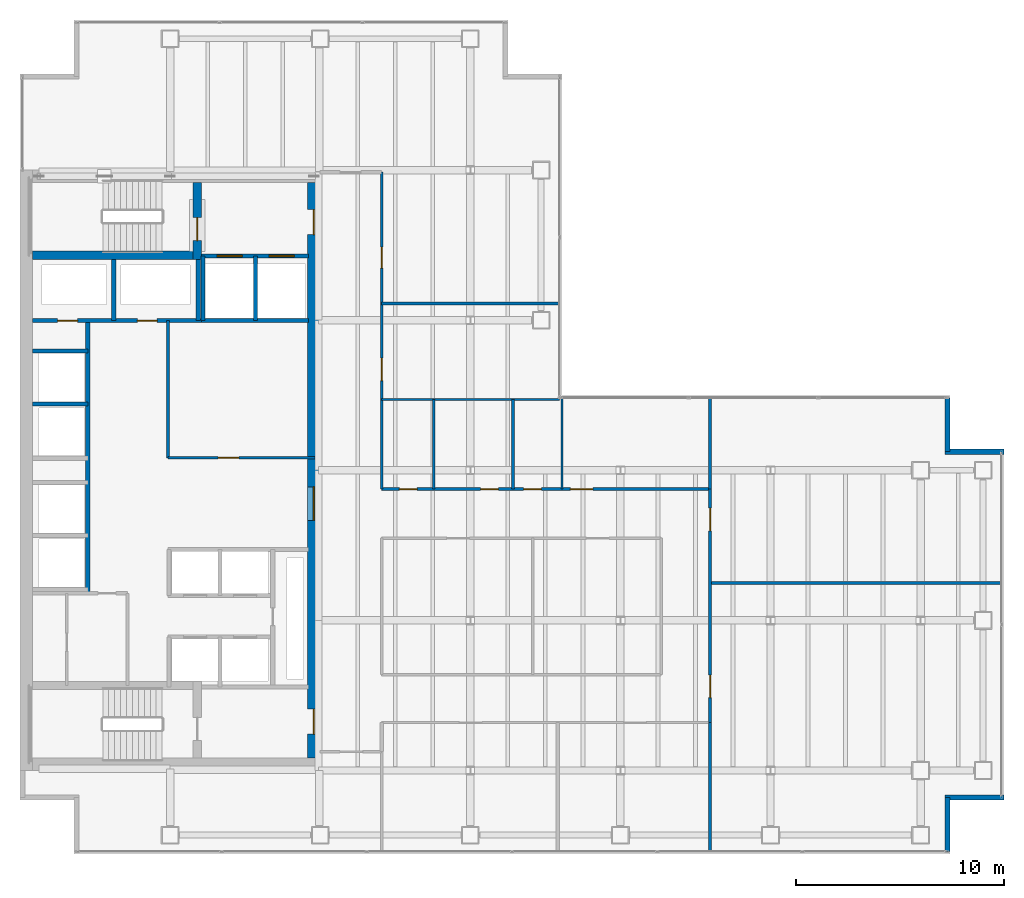
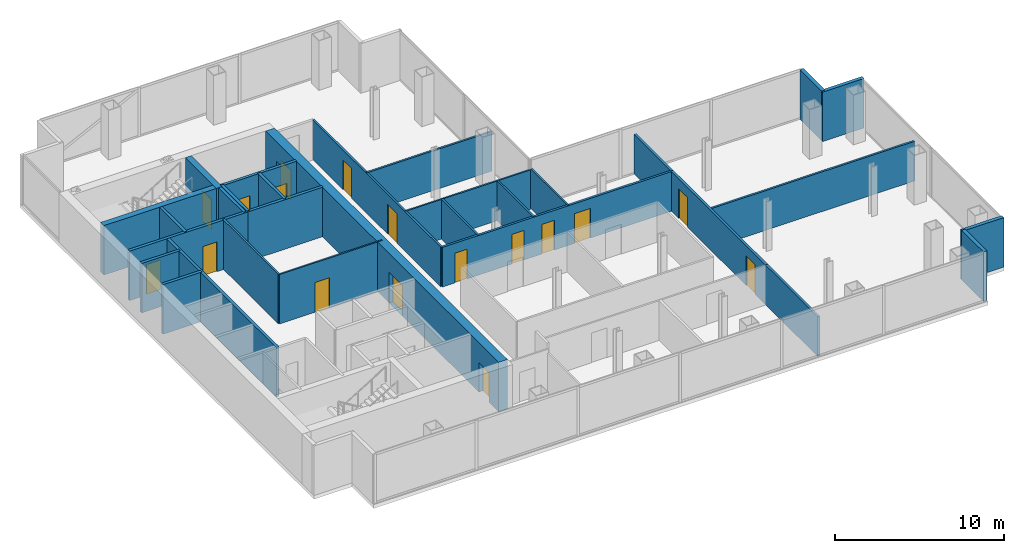
# One storey, part 21 of 23: 30 walls, 17 doors, 17 openings.
"""IFC4 building model written with IfcOpenShell, lengths in metres."""

from ifc_helpers import new_model, si_unit, direction, frame, frame_2d, origin, place, context, subcontext, project, spatial, rectangle, extrude, material, layer, layer_set, type_object, element, fill, save


model = new_model("IFC4")

# Units and contexts
model_context = context("Model", 3, precision=1e-05, world=origin(), true_north=direction((0.0, 1.0)))
body_context = subcontext(model_context, "Body", "Model", "MODEL_VIEW")
ifc_project = project(units=[si_unit("LENGTHUNIT", "METRE"), si_unit("AREAUNIT", "SQUARE_METRE"), si_unit("VOLUMEUNIT", "CUBIC_METRE"), si_unit("PLANEANGLEUNIT", "RADIAN"), si_unit("MASSUNIT", "GRAM", prefix="KILO")], contexts=[model_context])

# Site, building, storey
site_placement = place(None, origin())
site = spatial("IfcSite", under=ifc_project, at=site_placement, CompositionType="ELEMENT")
building_placement = place(site_placement, origin())
building = spatial("IfcBuilding", under=site, at=building_placement, Name="Cobrela Telecom Tower", CompositionType="ELEMENT")
storey_placement = place(building_placement, frame((0.0, 0.0, 148.39990234375)))
storey = spatial("IfcBuildingStorey", under=building, at=storey_placement, Name="L37", CompositionType="ELEMENT", Elevation=148.39990234375)

# Wall, openings, doors
ifc_material_1 = material(Name="Concrete C50/60", Category="concrete")
ifc_layer_1 = layer(ifc_material_1, 0.60009765625)
ifc_layer_set_1 = layer_set([ifc_layer_1], Name="Concrete C50/60")
wall_type_1 = type_object("IfcWallType", Name="WALL-CORE-C50-600", PredefinedType="SHEAR", material=ifc_layer_set_1)
wall_1_placement = place(storey_placement, frame((14.10009765625, 35.39990234375, 0.0), z_axis=(0.0, 0.0, 1.0), x_axis=(0.0, -1.0, 0.0)))
wall_1 = element("IfcWall", 1, at=wall_1_placement, inside=storey, type_object=wall_type_1, Name="L37 East Core Shear Wall", PredefinedType="SHEAR", context=body_context, shape_type="SweptSolid", body=[
    extrude(rectangle(XDim=27.599853515625, YDim=0.60009765625, at=frame_2d((13.7998046875, 0.0))), origin(), (0.0, 0.0, 1.0), 3.580078125),
])
opening_1_placement = place(wall_1_placement, frame((1.300048828125, 0.0, 0.0)))
opening_1 = element("IfcOpeningElement", 2, at=opening_1_placement, cuts=wall_1, Name="Opening DR-19", PredefinedType="OPENING", context=body_context, shape_type="SweptSolid", body=[
    extrude(rectangle(XDim=1.199951171875, YDim=2.14990234375, at=frame_2d((0.60009765625, 1.074951171875))), frame((0.0, 0.31201171875, 0.0), z_axis=(0.0, -1.0, 0.0), x_axis=(1.0, 0.0, 0.0)), (0.0, 0.0, 1.0), 0.6240234375),
])
opening_2_placement = place(wall_1_placement, frame((25.25, 0.0, 0.0)))
opening_2 = element("IfcOpeningElement", 3, at=opening_2_placement, cuts=wall_1, Name="Opening DR-19", PredefinedType="OPENING", context=body_context, shape_type="SweptSolid", body=[
    extrude(rectangle(XDim=1.199951171875, YDim=2.14990234375, at=frame_2d((0.60009765625, 1.074951171875))), frame((0.0, 0.31201171875, 0.0), z_axis=(0.0, -1.0, 0.0), x_axis=(1.0, 0.0, 0.0)), (0.0, 0.0, 1.0), 0.6240234375),
])
opening_3_placement = place(wall_1_placement, frame((14.60009765625, 0.0, 0.0)))
opening_3 = element("IfcOpeningElement", 4, at=opening_3_placement, cuts=wall_1, Name="Opening DR-51", PredefinedType="OPENING", context=body_context, shape_type="SweptSolid", body=[
    extrude(rectangle(XDim=1.60009765625, YDim=2.199951171875, at=frame_2d((0.800048828125, 1.10009765625))), frame((0.0, 0.31201171875, 0.0), z_axis=(0.0, -1.0, 0.0), x_axis=(1.0, 0.0, 0.0)), (0.0, 0.0, 1.0), 0.6240234375),
])
ifc_material_2 = material(Name="Steel ASTM A36", Category="steel")
door_type_1 = type_object("IfcDoorType", Name="DOOR-FD60-1200", OperationType="SINGLE_SWING_LEFT", PredefinedType="DOOR", material=ifc_material_2)
door_1_placement = place(opening_1_placement, origin())
door_1 = element("IfcDoor", 5, at=door_1_placement, inside=storey, type_object=door_type_1, Name="L37 Door DR-19", OperationType="SINGLE_SWING_LEFT", OverallHeight=2.14990234375, OverallWidth=1.199951171875, PredefinedType="DOOR", context=body_context, shape_type="SweptSolid", body=[
    extrude(rectangle(XDim=1.199951171875, YDim=2.14990234375, at=frame_2d((0.60009765625, 1.074951171875))), frame((0.0, 0.02490234375, 0.0), z_axis=(0.0, -1.0, 0.0), x_axis=(1.0, 0.0, 0.0)), (0.0, 0.0, 1.0), 0.050048828125),
])
fill(opening_1, door_1)
door_2_placement = place(opening_2_placement, origin())
door_2 = element("IfcDoor", 6, at=door_2_placement, inside=storey, type_object=door_type_1, Name="L37 Door DR-19", OperationType="SINGLE_SWING_RIGHT", OverallHeight=2.14990234375, OverallWidth=1.199951171875, PredefinedType="DOOR", context=body_context, shape_type="SweptSolid", body=[
    extrude(rectangle(XDim=1.199951171875, YDim=2.14990234375, at=frame_2d((0.60009765625, 1.074951171875))), frame((0.0, 0.02490234375, 0.0), z_axis=(0.0, -1.0, 0.0), x_axis=(1.0, 0.0, 0.0)), (0.0, 0.0, 1.0), 0.050048828125),
])
fill(opening_2, door_2)
door_type_2 = type_object("IfcDoorType", Name="DOOR-FD60-1600", OperationType="SINGLE_SWING_LEFT", PredefinedType="DOOR", material=ifc_material_2)
door_3_placement = place(opening_3_placement, origin())
door_3 = element("IfcDoor", 7, at=door_3_placement, inside=storey, type_object=door_type_2, Name="L37 Door DR-51", OperationType="DOUBLE_DOOR_SINGLE_SWING", OverallHeight=2.199951171875, OverallWidth=1.60009765625, PredefinedType="DOOR", context=body_context, shape_type="SweptSolid", body=[
    extrude(rectangle(XDim=1.60009765625, YDim=2.199951171875, at=frame_2d((0.800048828125, 1.10009765625))), frame((0.0, 0.02490234375, 0.0), z_axis=(0.0, -1.0, 0.0), x_axis=(1.0, 0.0, 0.0)), (0.0, 0.0, 1.0), 0.050048828125),
])
fill(opening_3, door_3)

# Walls
ifc_material_3 = material(Name="Concrete C40/50", Category="concrete")
ifc_layer_2 = layer(ifc_material_3, 0.239990234375)
ifc_layer_set_2 = layer_set([ifc_layer_2], Name="Concrete C40/50")
wall_type_2 = type_object("IfcWallType", Name="WALL-EXT-300", PredefinedType="STANDARD", material=ifc_layer_set_2)
wall_2_placement = place(storey_placement, frame((44.489990234375, 25.080078125, 0.0), z_axis=(0.0, 0.0, 1.0), x_axis=(0.0, -1.0, 0.0)))
element("IfcWall", 8, at=wall_2_placement, inside=storey, type_object=wall_type_2, Name="L37 Insulated Facade Wall 12", PredefinedType="STANDARD", context=body_context, shape_type="SweptSolid", body=[
    extrude(rectangle(XDim=2.590087890625, YDim=0.239990234375, at=frame_2d((1.294921875, 0.0))), origin(), (0.0, 0.0, 1.0), 3.580078125),
])
for number, where, z_axis, x_axis, name in (
    (9, (44.3701171875, 22.489990234375, 0.0), (0.0, 0.0, 1.0), (1.0, 0.0, 0.0), "L37 Insulated Facade Wall 13"),
    (10, (47.199951171875, 5.909912109375, 0.0), (0.0, 0.0, 1.0), (-1.0, 0.0, 0.0), "L37 Insulated Facade Wall 15"),
):
    element("IfcWall", number, at=place(storey_placement, frame(where, z_axis=z_axis, x_axis=x_axis)), inside=storey, type_object=wall_type_2, Name=name, PredefinedType="STANDARD", context=body_context, shape_type="SweptSolid", body=[
        extrude(rectangle(XDim=2.829833984375, YDim=0.239990234375, at=frame_2d((1.4150390625, 0.0))), origin(), (0.0, 0.0, 1.0), 3.580078125),
    ])
wall_3_placement = place(storey_placement, frame((44.489990234375, 5.909912109375, 0.0), z_axis=(0.0, 0.0, 1.0), x_axis=(0.0, -1.0, 0.0)))
element("IfcWall", 11, at=wall_3_placement, inside=storey, type_object=wall_type_2, Name="L37 Insulated Facade Wall 16", PredefinedType="STANDARD", context=body_context, shape_type="SweptSolid", body=[
    extrude(rectangle(XDim=2.58984375, YDim=0.239990234375, at=frame_2d((1.294921875, 0.0))), origin(), (0.0, 0.0, 1.0), 3.580078125),
])

# Wall, opening, door
ifc_material_4 = material(Name="Fire-Rated Gypsum Plasterboard")
ifc_layer_3 = layer(ifc_material_4, 0.110107421875)
ifc_layer_set_3 = layer_set([ifc_layer_3], Name="Fire-Rated Gypsum Plasterboard")
wall_type_3 = type_object("IfcWallType", Name="WALL-PART-110", PredefinedType="PARTITIONING", material=ifc_layer_set_3)
wall_4_placement = place(storey_placement, frame((7.10009765625, 22.199951171875, 0.0), z_axis=(0.0, 0.0, 1.0), x_axis=(1.0, 0.0, 0.0)))
wall_4 = element("IfcWall", 12, at=wall_4_placement, inside=storey, type_object=wall_type_3, Name="L37 Interior Partition CW-RECL-S", PredefinedType="PARTITIONING", context=body_context, shape_type="SweptSolid", body=[
    extrude(rectangle(XDim=7.0498046875, YDim=0.110107421875, at=frame_2d((3.52490234375, 0.0))), origin(), (0.0, 0.0, 1.0), 3.580078125),
])
opening_4_placement = place(wall_4_placement, frame((2.39990234375, 0.0, 0.0)))
opening_4 = element("IfcOpeningElement", 13, at=opening_4_placement, cuts=wall_4, Name="Opening DR-31", PredefinedType="OPENING", context=body_context, shape_type="SweptSolid", body=[
    extrude(rectangle(XDim=1.0, YDim=2.14990234375, at=frame_2d((0.5, 1.074951171875))), frame((0.0, 0.06689453125, 0.0), z_axis=(0.0, -1.0, 0.0), x_axis=(1.0, 0.0, 0.0)), (0.0, 0.0, 1.0), 0.134033203125),
])
ifc_material_5 = material(Name="Solid Engineered Oak Timber", Category="wood")
door_type_3 = type_object("IfcDoorType", Name="DOOR-INT-1000", OperationType="SINGLE_SWING_LEFT", PredefinedType="DOOR", material=ifc_material_5)
door_4_placement = place(opening_4_placement, origin())
door_4 = element("IfcDoor", 14, at=door_4_placement, inside=storey, type_object=door_type_3, Name="L37 Door DR-31", OperationType="SINGLE_SWING_LEFT", OverallHeight=2.14990234375, OverallWidth=1.0, PredefinedType="DOOR", context=body_context, shape_type="SweptSolid", body=[
    extrude(rectangle(XDim=1.0, YDim=2.14990234375, at=frame_2d((0.5, 1.074951171875))), frame((0.0, 0.02490234375, 0.0), z_axis=(0.0, -1.0, 0.0), x_axis=(1.0, 0.0, 0.0)), (0.0, 0.0, 1.0), 0.050048828125),
])
fill(opening_4, door_4)

# Walls
wall_5_placement = place(storey_placement, frame((17.35009765625, 25.0, 0.0), z_axis=(0.0, 0.0, 1.0), x_axis=(1.0, 0.0, 0.0)))
element("IfcWall", 15, at=wall_5_placement, inside=storey, type_object=wall_type_3, Name="L37 Interior Partition W-WC-N", PredefinedType="PARTITIONING", context=body_context, shape_type="SweptSolid", body=[
    extrude(rectangle(XDim=8.52978515625, YDim=0.110107421875, at=frame_2d((4.264892578125, 0.0))), origin(), (0.0, 0.0, 1.0), 2.869140625),
])
wall_6_placement = place(storey_placement, frame((26.0, 20.699951171875, 0.0), z_axis=(0.0, 0.0, 1.0), x_axis=(0.0, 1.0, 0.0)))
element("IfcWall", 16, at=wall_6_placement, inside=storey, type_object=wall_type_3, Name="L37 Interior Partition W-UEN-W", PredefinedType="PARTITIONING", context=body_context, shape_type="SweptSolid", body=[
    extrude(rectangle(XDim=4.380126953125, YDim=0.110107421875, at=frame_2d((2.18994140625, 0.0))), origin(), (0.0, 0.0, 1.0), 2.869140625),
])
ifc_layer_4 = layer(ifc_material_4, 0.125)
ifc_layer_set_4 = layer_set([ifc_layer_4], Name="Fire-Rated Gypsum Plasterboard")
wall_type_4 = type_object("IfcWallType", Name="WALL-PART-125", PredefinedType="PARTITIONING", material=ifc_layer_set_4)
for number, where, z_axis, x_axis, name in (
    (17, (19.85009765625, 20.699951171875, 0.0), (0.0, 0.0, 1.0), (0.0, 1.0, 0.0), "L37 Interior Partition W-WC-V1"),
    (18, (23.64990234375, 20.699951171875, 0.0), (0.0, 0.0, 1.0), (0.0, 1.0, 0.0), "L37 Interior Partition W-WC-V2"),
):
    element("IfcWall", number, at=place(storey_placement, frame(where, z_axis=z_axis, x_axis=x_axis)), inside=storey, type_object=wall_type_4, Name=name, PredefinedType="PARTITIONING", context=body_context, shape_type="SweptSolid", body=[
        extrude(rectangle(XDim=4.300048828125, YDim=0.125, at=frame_2d((2.14990234375, 0.0))), origin(), (0.0, 0.0, 1.0), 2.869140625),
    ])
ifc_layer_5 = layer(ifc_material_4, 0.135009765625)
ifc_layer_set_5 = layer_set([ifc_layer_5], Name="Fire-Rated Gypsum Plasterboard")
wall_type_5 = type_object("IfcWallType", Name="WALL-PART-135", PredefinedType="PARTITIONING", material=ifc_layer_set_5)
wall_7_placement = place(storey_placement, frame((7.10009765625, 22.199951171875, 0.0), z_axis=(0.0, 0.0, 1.0), x_axis=(0.0, 1.0, 0.0)))
element("IfcWall", 19, at=wall_7_placement, inside=storey, type_object=wall_type_5, Name="L37 Interior Partition CW-RECL-W", PredefinedType="PARTITIONING", context=body_context, shape_type="SweptSolid", body=[
    extrude(rectangle(XDim=6.580078125, YDim=0.135009765625, at=frame_2d((3.2900390625, 0.0))), origin(), (0.0, 0.0, 1.0), 3.580078125),
])

# Wall, openings, doors
wall_8_placement = place(storey_placement, frame((17.35009765625, 20.699951171875, 0.0), z_axis=(0.0, 0.0, 1.0), x_axis=(0.0, 1.0, 0.0)))
wall_8 = element("IfcWall", 20, at=wall_8_placement, inside=storey, type_object=wall_type_5, Name="L37 Interior Partition W-UW-E2", PredefinedType="PARTITIONING", context=body_context, shape_type="SweptSolid", body=[
    extrude(rectangle(XDim=15.199951171875, YDim=0.135009765625, at=frame_2d((7.60009765625, 0.0))), origin(), (0.0, 0.0, 1.0), 2.869140625),
])
opening_5_placement = place(wall_8_placement, frame((5.199951171875, 0.0, 0.0)))
opening_5 = element("IfcOpeningElement", 21, at=opening_5_placement, cuts=wall_8, Name="Opening DR-63", PredefinedType="OPENING", context=body_context, shape_type="SweptSolid", body=[
    extrude(rectangle(XDim=1.080078125, YDim=2.14990234375, at=frame_2d((0.5400390625, 1.074951171875))), frame((0.0, 0.07958984375, 0.0), z_axis=(0.0, -1.0, 0.0), x_axis=(1.0, 0.0, 0.0)), (0.0, 0.0, 1.0), 0.158935546875),
])
opening_6_placement = place(wall_8_placement, frame((10.60009765625, 0.0, 0.0)))
opening_6 = element("IfcOpeningElement", 22, at=opening_6_placement, cuts=wall_8, Name="Opening DR-31", PredefinedType="OPENING", context=body_context, shape_type="SweptSolid", body=[
    extrude(rectangle(XDim=1.0, YDim=2.14990234375, at=frame_2d((0.5, 1.074951171875))), frame((0.0, 0.07958984375, 0.0), z_axis=(0.0, -1.0, 0.0), x_axis=(1.0, 0.0, 0.0)), (0.0, 0.0, 1.0), 0.158935546875),
])
door_5_placement = place(opening_6_placement, origin())
door_5 = element("IfcDoor", 23, at=door_5_placement, inside=storey, type_object=door_type_3, Name="L37 Door DR-31", OperationType="SINGLE_SWING_LEFT", OverallHeight=2.14990234375, OverallWidth=1.0, PredefinedType="DOOR", context=body_context, shape_type="SweptSolid", body=[
    extrude(rectangle(XDim=1.0, YDim=2.14990234375, at=frame_2d((0.5, 1.074951171875))), frame((0.0, 0.02490234375, 0.0), z_axis=(0.0, -1.0, 0.0), x_axis=(1.0, 0.0, 0.0)), (0.0, 0.0, 1.0), 0.050048828125),
])
fill(opening_6, door_5)
door_type_4 = type_object("IfcDoorType", Name="DOOR-INT-1080", OperationType="SINGLE_SWING_LEFT", PredefinedType="DOOR", material=ifc_material_5)
door_6_placement = place(opening_5_placement, origin())
door_6 = element("IfcDoor", 24, at=door_6_placement, inside=storey, type_object=door_type_4, Name="L37 Door DR-63", OperationType="SINGLE_SWING_RIGHT", OverallHeight=2.14990234375, OverallWidth=1.080078125, PredefinedType="DOOR", context=body_context, shape_type="SweptSolid", body=[
    extrude(rectangle(XDim=1.080078125, YDim=2.14990234375, at=frame_2d((0.5400390625, 1.074951171875))), frame((0.0, 0.02490234375, 0.0), z_axis=(0.0, -1.0, 0.0), x_axis=(1.0, 0.0, 0.0)), (0.0, 0.0, 1.0), 0.050048828125),
])
fill(opening_5, door_6)

# Walls
wall_9_placement = place(storey_placement, frame((17.35009765625, 29.60009765625, 0.0), z_axis=(0.0, 0.0, 1.0), x_axis=(1.0, 0.0, 0.0)))
element("IfcWall", 25, at=wall_9_placement, inside=storey, type_object=wall_type_5, Name="L37 Interior Partition W-NPAN-N", PredefinedType="PARTITIONING", context=body_context, shape_type="SweptSolid", body=[
    extrude(rectangle(XDim=8.52978515625, YDim=0.135009765625, at=frame_2d((4.264892578125, 0.0))), origin(), (0.0, 0.0, 1.0), 2.869140625),
])
wall_10_placement = place(storey_placement, frame((33.10009765625, 16.199951171875, 0.0), z_axis=(0.0, 0.0, 1.0), x_axis=(1.0, 0.0, 0.0)))
element("IfcWall", 26, at=wall_10_placement, inside=storey, type_object=wall_type_5, Name="L37 Interior Partition W-UFE-H", PredefinedType="PARTITIONING", context=body_context, shape_type="SweptSolid", body=[
    extrude(rectangle(XDim=13.97998046875, YDim=0.135009765625, at=frame_2d((6.989990234375, 0.0))), origin(), (0.0, 0.0, 1.0), 2.869140625),
])

# Wall, openings, doors
ifc_layer_6 = layer(ifc_material_4, 0.14990234375)
ifc_layer_set_6 = layer_set([ifc_layer_6], Name="Fire-Rated Gypsum Plasterboard")
wall_type_6 = type_object("IfcWallType", Name="WALL-PART-150", PredefinedType="PARTITIONING", material=ifc_layer_set_6)
wall_11_placement = place(storey_placement, frame((17.35009765625, 20.699951171875, 0.0), z_axis=(0.0, 0.0, 1.0), x_axis=(1.0, 0.0, 0.0)))
wall_11 = element("IfcWall", 27, at=wall_11_placement, inside=storey, type_object=wall_type_6, Name="L37 Interior Partition W-UN-N", PredefinedType="PARTITIONING", context=body_context, shape_type="SweptSolid", body=[
    extrude(rectangle(XDim=15.75, YDim=0.14990234375, at=frame_2d((7.875, 0.0))), origin(), (0.0, 0.0, 1.0), 2.869140625),
])
opening_7_placement = place(wall_11_placement, frame((0.85009765625, 0.0, 0.0)))
opening_7 = element("IfcOpeningElement", 28, at=opening_7_placement, cuts=wall_11, Name="Opening DR-11", PredefinedType="OPENING", context=body_context, shape_type="SweptSolid", body=[
    extrude(rectangle(XDim=0.85009765625, YDim=2.14990234375, at=frame_2d((0.425048828125, 1.074951171875))), frame((0.0, 0.0869140625, 0.0), z_axis=(0.0, -1.0, 0.0), x_axis=(1.0, 0.0, 0.0)), (0.0, 0.0, 1.0), 0.173828125),
])
opening_8_placement = place(wall_11_placement, frame((4.75, 0.0, 0.0)))
opening_8 = element("IfcOpeningElement", 29, at=opening_8_placement, cuts=wall_11, Name="Opening DR-11", PredefinedType="OPENING", context=body_context, shape_type="SweptSolid", body=[
    extrude(rectangle(XDim=0.85009765625, YDim=2.14990234375, at=frame_2d((0.425048828125, 1.074951171875))), frame((0.0, 0.0869140625, 0.0), z_axis=(0.0, -1.0, 0.0), x_axis=(1.0, 0.0, 0.0)), (0.0, 0.0, 1.0), 0.173828125),
])
opening_9_placement = place(wall_11_placement, frame((6.81005859375, 0.0, 0.0)))
opening_9 = element("IfcOpeningElement", 30, at=opening_9_placement, cuts=wall_11, Name="Opening DR-11", PredefinedType="OPENING", context=body_context, shape_type="SweptSolid", body=[
    extrude(rectangle(XDim=0.85009765625, YDim=2.14990234375, at=frame_2d((0.425048828125, 1.074951171875))), frame((0.0, 0.0869140625, 0.0), z_axis=(0.0, -1.0, 0.0), x_axis=(1.0, 0.0, 0.0)), (0.0, 0.0, 1.0), 0.173828125),
])
opening_10_placement = place(wall_11_placement, frame((9.050048828125, 0.0, 0.0)))
opening_10 = element("IfcOpeningElement", 31, at=opening_10_placement, cuts=wall_11, Name="Opening DR-63", PredefinedType="OPENING", context=body_context, shape_type="SweptSolid", body=[
    extrude(rectangle(XDim=1.080078125, YDim=2.14990234375, at=frame_2d((0.5400390625, 1.074951171875))), frame((0.0, 0.0869140625, 0.0), z_axis=(0.0, -1.0, 0.0), x_axis=(1.0, 0.0, 0.0)), (0.0, 0.0, 1.0), 0.173828125),
])
door_7_placement = place(opening_10_placement, origin())
door_7 = element("IfcDoor", 32, at=door_7_placement, inside=storey, type_object=door_type_4, Name="L37 Door DR-63", OperationType="SINGLE_SWING_RIGHT", OverallHeight=2.14990234375, OverallWidth=1.080078125, PredefinedType="DOOR", context=body_context, shape_type="SweptSolid", body=[
    extrude(rectangle(XDim=1.080078125, YDim=2.14990234375, at=frame_2d((0.5400390625, 1.074951171875))), frame((0.0, 0.02490234375, 0.0), z_axis=(0.0, -1.0, 0.0), x_axis=(1.0, 0.0, 0.0)), (0.0, 0.0, 1.0), 0.050048828125),
])
fill(opening_10, door_7)
door_type_5 = type_object("IfcDoorType", Name="DOOR-INT-850", OperationType="SINGLE_SWING_LEFT", PredefinedType="DOOR", material=ifc_material_5)
door_8_placement = place(opening_7_placement, origin())
door_8 = element("IfcDoor", 33, at=door_8_placement, inside=storey, type_object=door_type_5, Name="L37 Door DR-11", OperationType="SINGLE_SWING_LEFT", OverallHeight=2.14990234375, OverallWidth=0.85009765625, PredefinedType="DOOR", context=body_context, shape_type="SweptSolid", body=[
    extrude(rectangle(XDim=0.85009765625, YDim=2.14990234375, at=frame_2d((0.425048828125, 1.074951171875))), frame((0.0, 0.02490234375, 0.0), z_axis=(0.0, -1.0, 0.0), x_axis=(1.0, 0.0, 0.0)), (0.0, 0.0, 1.0), 0.050048828125),
])
fill(opening_7, door_8)
door_9_placement = place(opening_8_placement, origin())
door_9 = element("IfcDoor", 34, at=door_9_placement, inside=storey, type_object=door_type_5, Name="L37 Door DR-11", OperationType="SINGLE_SWING_RIGHT", OverallHeight=2.14990234375, OverallWidth=0.85009765625, PredefinedType="DOOR", context=body_context, shape_type="SweptSolid", body=[
    extrude(rectangle(XDim=0.85009765625, YDim=2.14990234375, at=frame_2d((0.425048828125, 1.074951171875))), frame((0.0, 0.02490234375, 0.0), z_axis=(0.0, -1.0, 0.0), x_axis=(1.0, 0.0, 0.0)), (0.0, 0.0, 1.0), 0.050048828125),
])
fill(opening_8, door_9)
door_10_placement = place(opening_9_placement, origin())
door_10 = element("IfcDoor", 35, at=door_10_placement, inside=storey, type_object=door_type_5, Name="L37 Door DR-11", OperationType="SINGLE_SWING_LEFT", OverallHeight=2.14990234375, OverallWidth=0.85009765625, PredefinedType="DOOR", context=body_context, shape_type="SweptSolid", body=[
    extrude(rectangle(XDim=0.85009765625, YDim=2.14990234375, at=frame_2d((0.425048828125, 1.074951171875))), frame((0.0, 0.02490234375, 0.0), z_axis=(0.0, -1.0, 0.0), x_axis=(1.0, 0.0, 0.0)), (0.0, 0.0, 1.0), 0.050048828125),
])
fill(opening_9, door_10)

# Wall
wall_12_placement = place(storey_placement, frame((33.10009765625, 20.699951171875, 0.0), z_axis=(0.0, 0.0, 1.0), x_axis=(0.0, 1.0, 0.0)))
element("IfcWall", 36, at=wall_12_placement, inside=storey, type_object=wall_type_6, Name="L37 Interior Partition W-UFE-N", PredefinedType="PARTITIONING", context=body_context, shape_type="SweptSolid", body=[
    extrude(rectangle(XDim=4.380126953125, YDim=0.14990234375, at=frame_2d((2.18994140625, 0.0))), origin(), (0.0, 0.0, 1.0), 2.869140625),
])

# Wall, openings, doors
ifc_layer_7 = layer(ifc_material_4, 0.159912109375)
ifc_layer_set_7 = layer_set([ifc_layer_7], Name="Fire-Rated Gypsum Plasterboard")
wall_type_7 = type_object("IfcWallType", Name="WALL-PART-160", PredefinedType="PARTITIONING", material=ifc_layer_set_7)
wall_13_placement = place(storey_placement, frame((33.10009765625, 9.5, 0.0), z_axis=(0.0, 0.0, 1.0), x_axis=(0.0, 1.0, 0.0)))
wall_13 = element("IfcWall", 37, at=wall_13_placement, inside=storey, type_object=wall_type_7, Name="L37 Interior Partition W-UE-E", PredefinedType="PARTITIONING", context=body_context, shape_type="SweptSolid", body=[
    extrude(rectangle(XDim=11.199951171875, YDim=0.159912109375, at=frame_2d((5.60009765625, 0.0))), origin(), (0.0, 0.0, 1.0), 2.869140625),
])
opening_11_placement = place(wall_13_placement, frame((1.199951171875, 0.0, 0.0)))
opening_11 = element("IfcOpeningElement", 38, at=opening_11_placement, cuts=wall_13, Name="Opening DR-63", PredefinedType="OPENING", context=body_context, shape_type="SweptSolid", body=[
    extrude(rectangle(XDim=1.080078125, YDim=2.14990234375, at=frame_2d((0.5400390625, 1.074951171875))), frame((0.0, 0.091796875, 0.0), z_axis=(0.0, -1.0, 0.0), x_axis=(1.0, 0.0, 0.0)), (0.0, 0.0, 1.0), 0.183837890625),
])
opening_12_placement = place(wall_13_placement, frame((9.199951171875, 0.0, 0.0)))
opening_12 = element("IfcOpeningElement", 39, at=opening_12_placement, cuts=wall_13, Name="Opening DR-63", PredefinedType="OPENING", context=body_context, shape_type="SweptSolid", body=[
    extrude(rectangle(XDim=1.080078125, YDim=2.14990234375, at=frame_2d((0.5400390625, 1.074951171875))), frame((0.0, 0.091796875, 0.0), z_axis=(0.0, -1.0, 0.0), x_axis=(1.0, 0.0, 0.0)), (0.0, 0.0, 1.0), 0.183837890625),
])
door_11_placement = place(opening_11_placement, origin())
door_11 = element("IfcDoor", 40, at=door_11_placement, inside=storey, type_object=door_type_4, Name="L37 Door DR-63", OperationType="SINGLE_SWING_LEFT", OverallHeight=2.14990234375, OverallWidth=1.080078125, PredefinedType="DOOR", context=body_context, shape_type="SweptSolid", body=[
    extrude(rectangle(XDim=1.080078125, YDim=2.14990234375, at=frame_2d((0.5400390625, 1.074951171875))), frame((0.0, 0.02490234375, 0.0), z_axis=(0.0, -1.0, 0.0), x_axis=(1.0, 0.0, 0.0)), (0.0, 0.0, 1.0), 0.050048828125),
])
fill(opening_11, door_11)
door_12_placement = place(opening_12_placement, origin())
door_12 = element("IfcDoor", 41, at=door_12_placement, inside=storey, type_object=door_type_4, Name="L37 Door DR-63", OperationType="SINGLE_SWING_RIGHT", OverallHeight=2.14990234375, OverallWidth=1.080078125, PredefinedType="DOOR", context=body_context, shape_type="SweptSolid", body=[
    extrude(rectangle(XDim=1.080078125, YDim=2.14990234375, at=frame_2d((0.5400390625, 1.074951171875))), frame((0.0, 0.02490234375, 0.0), z_axis=(0.0, -1.0, 0.0), x_axis=(1.0, 0.0, 0.0)), (0.0, 0.0, 1.0), 0.050048828125),
])
fill(opening_12, door_12)

# Wall
wall_14_placement = place(storey_placement, frame((33.10009765625, 3.320068359375, 0.0), z_axis=(0.0, 0.0, 1.0), x_axis=(0.0, 1.0, 0.0)))
element("IfcWall", 42, at=wall_14_placement, inside=storey, type_object=wall_type_7, Name="L37 Interior Partition W-UFE-S", PredefinedType="PARTITIONING", context=body_context, shape_type="SweptSolid", body=[
    extrude(rectangle(XDim=6.179931640625, YDim=0.159912109375, at=frame_2d((3.08984375, 0.0))), origin(), (0.0, 0.0, 1.0), 2.869140625),
])

# Wall, openings, doors
ifc_layer_8 = layer(ifc_material_4, 0.199951171875)
ifc_layer_set_8 = layer_set([ifc_layer_8], Name="Fire-Rated Gypsum Plasterboard")
wall_type_8 = type_object("IfcWallType", Name="WALL-SHAFT-200", PredefinedType="PARTITIONING", material=ifc_layer_set_8)
wall_15_placement = place(storey_placement, frame((8.699951171875, 31.8798828125, 0.0), z_axis=(0.0, 0.0, 1.0), x_axis=(1.0, 0.0, 0.0)))
wall_15 = element("IfcWall", 43, at=wall_15_placement, inside=storey, type_object=wall_type_8, Name="L37 Shaft Enclosure CW-FFL-S", PredefinedType="PARTITIONING", context=body_context, shape_type="SweptSolid", body=[
    extrude(rectangle(XDim=5.150146484375, YDim=0.199951171875, at=frame_2d((2.5751953125, 0.0))), origin(), (0.0, 0.0, 1.0), 3.580078125),
])
opening_13_placement = place(wall_15_placement, frame((0.75, 0.0, 0.0)))
opening_13 = element("IfcOpeningElement", 44, at=opening_13_placement, cuts=wall_15, Name="Opening LD-2", PredefinedType="OPENING", context=body_context, shape_type="SweptSolid", body=[
    extrude(rectangle(XDim=1.199951171875, YDim=2.199951171875, at=frame_2d((0.60009765625, 1.10009765625))), frame((0.0, 0.11181640625, 0.0), z_axis=(0.0, -1.0, 0.0), x_axis=(1.0, 0.0, 0.0)), (0.0, 0.0, 1.0), 0.223876953125),
])
opening_14_placement = place(wall_15_placement, frame((3.25, 0.0, 0.0)))
opening_14 = element("IfcOpeningElement", 45, at=opening_14_placement, cuts=wall_15, Name="Opening LD-2", PredefinedType="OPENING", context=body_context, shape_type="SweptSolid", body=[
    extrude(rectangle(XDim=1.199951171875, YDim=2.199951171875, at=frame_2d((0.60009765625, 1.10009765625))), frame((0.0, 0.11181640625, 0.0), z_axis=(0.0, -1.0, 0.0), x_axis=(1.0, 0.0, 0.0)), (0.0, 0.0, 1.0), 0.223876953125),
])
door_type_6 = type_object("IfcDoorType", Name="DOOR-LD-FFL", OperationType="SINGLE_SWING_LEFT", PredefinedType="DOOR", material=ifc_material_2)
door_13_placement = place(opening_13_placement, origin())
door_13 = element("IfcDoor", 46, at=door_13_placement, inside=storey, type_object=door_type_6, Name="L37 Lift Landing Door LD-2", OperationType="DOUBLE_DOOR_SLIDING", OverallHeight=2.199951171875, OverallWidth=1.199951171875, PredefinedType="DOOR", context=body_context, shape_type="SweptSolid", body=[
    extrude(rectangle(XDim=1.199951171875, YDim=2.199951171875, at=frame_2d((0.60009765625, 1.10009765625))), frame((0.0, 0.02490234375, 0.0), z_axis=(0.0, -1.0, 0.0), x_axis=(1.0, 0.0, 0.0)), (0.0, 0.0, 1.0), 0.050048828125),
])
fill(opening_13, door_13)
door_14_placement = place(opening_14_placement, origin())
door_14 = element("IfcDoor", 47, at=door_14_placement, inside=storey, type_object=door_type_6, Name="L37 Lift Landing Door LD-2", OperationType="DOUBLE_DOOR_SLIDING", OverallHeight=2.199951171875, OverallWidth=1.199951171875, PredefinedType="DOOR", context=body_context, shape_type="SweptSolid", body=[
    extrude(rectangle(XDim=1.199951171875, YDim=2.199951171875, at=frame_2d((0.60009765625, 1.10009765625))), frame((0.0, 0.02490234375, 0.0), z_axis=(0.0, -1.0, 0.0), x_axis=(1.0, 0.0, 0.0)), (0.0, 0.0, 1.0), 0.050048828125),
])
fill(opening_14, door_14)

# Walls
wall_16_placement = place(storey_placement, frame((8.699951171875, 28.780029296875, 0.0), z_axis=(0.0, 0.0, 1.0), x_axis=(1.0, 0.0, 0.0)))
element("IfcWall", 48, at=wall_16_placement, inside=storey, type_object=wall_type_8, Name="L37 Shaft Enclosure CW-FFL-S2", PredefinedType="PARTITIONING", context=body_context, shape_type="SweptSolid", body=[
    extrude(rectangle(XDim=5.150146484375, YDim=0.199951171875, at=frame_2d((2.5751953125, 0.0))), origin(), (0.0, 0.0, 1.0), 3.580078125),
])
for number, where, z_axis, x_axis, name in (
    (49, (8.780029296875, 28.780029296875, 0.0), (0.0, 0.0, 1.0), (0.0, 1.0, 0.0), "L37 Shaft Enclosure CW-FFL-W"),
    (50, (11.300048828125, 28.780029296875, 0.0), (0.0, 0.0, 1.0), (0.0, 1.0, 0.0), "L37 Shaft Enclosure CW-FFL-M"),
):
    element("IfcWall", number, at=place(storey_placement, frame(where, z_axis=z_axis, x_axis=x_axis)), inside=storey, type_object=wall_type_8, Name=name, PredefinedType="PARTITIONING", context=body_context, shape_type="SweptSolid", body=[
        extrude(rectangle(XDim=3.099853515625, YDim=0.199951171875, at=frame_2d((1.5498046875, 0.0))), origin(), (0.0, 0.0, 1.0), 3.580078125),
    ])

# Wall, openings, doors
wall_17_placement = place(storey_placement, frame((0.60009765625, 28.780029296875, 0.0), z_axis=(0.0, 0.0, 1.0), x_axis=(1.0, 0.0, 0.0)))
wall_17 = element("IfcWall", 51, at=wall_17_placement, inside=storey, type_object=wall_type_8, Name="L37 Shaft Enclosure CW-RIS-S", PredefinedType="PARTITIONING", context=body_context, shape_type="SweptSolid", body=[
    extrude(rectangle(XDim=8.179931640625, YDim=0.199951171875, at=frame_2d((4.08984375, 0.0))), origin(), (0.0, 0.0, 1.0), 3.580078125),
])
opening_15_placement = place(wall_17_placement, frame((1.2099609375, 0.0, 0.0)))
opening_15 = element("IfcOpeningElement", 52, at=opening_15_placement, cuts=wall_17, Name="Opening DR-65", PredefinedType="OPENING", context=body_context, shape_type="SweptSolid", body=[
    extrude(rectangle(XDim=0.949951171875, YDim=2.14990234375, at=frame_2d((0.47509765625, 1.074951171875))), frame((0.0, 0.11181640625, 0.0), z_axis=(0.0, -1.0, 0.0), x_axis=(1.0, 0.0, 0.0)), (0.0, 0.0, 1.0), 0.223876953125),
])
opening_16_placement = place(wall_17_placement, frame((5.030029296875, 0.0, 0.0)))
opening_16 = element("IfcOpeningElement", 53, at=opening_16_placement, cuts=wall_17, Name="Opening DR-65", PredefinedType="OPENING", context=body_context, shape_type="SweptSolid", body=[
    extrude(rectangle(XDim=0.949951171875, YDim=2.14990234375, at=frame_2d((0.47509765625, 1.074951171875))), frame((0.0, 0.11181640625, 0.0), z_axis=(0.0, -1.0, 0.0), x_axis=(1.0, 0.0, 0.0)), (0.0, 0.0, 1.0), 0.223876953125),
])
door_type_7 = type_object("IfcDoorType", Name="DOOR-FD60-950", OperationType="SINGLE_SWING_LEFT", PredefinedType="DOOR", material=ifc_material_2)
door_15_placement = place(opening_15_placement, origin())
door_15 = element("IfcDoor", 54, at=door_15_placement, inside=storey, type_object=door_type_7, Name="L37 Door DR-65", OperationType="SINGLE_SWING_LEFT", OverallHeight=2.14990234375, OverallWidth=0.949951171875, PredefinedType="DOOR", context=body_context, shape_type="SweptSolid", body=[
    extrude(rectangle(XDim=0.949951171875, YDim=2.14990234375, at=frame_2d((0.47509765625, 1.074951171875))), frame((0.0, 0.02490234375, 0.0), z_axis=(0.0, -1.0, 0.0), x_axis=(1.0, 0.0, 0.0)), (0.0, 0.0, 1.0), 0.050048828125),
])
fill(opening_15, door_15)
door_16_placement = place(opening_16_placement, origin())
door_16 = element("IfcDoor", 55, at=door_16_placement, inside=storey, type_object=door_type_7, Name="L37 Door DR-65", OperationType="SINGLE_SWING_RIGHT", OverallHeight=2.14990234375, OverallWidth=0.949951171875, PredefinedType="DOOR", context=body_context, shape_type="SweptSolid", body=[
    extrude(rectangle(XDim=0.949951171875, YDim=2.14990234375, at=frame_2d((0.47509765625, 1.074951171875))), frame((0.0, 0.02490234375, 0.0), z_axis=(0.0, -1.0, 0.0), x_axis=(1.0, 0.0, 0.0)), (0.0, 0.0, 1.0), 0.050048828125),
])
fill(opening_16, door_16)

# Walls
for number, where, z_axis, x_axis, name in (
    (56, (4.5, 28.780029296875, 0.0), (0.0, 0.0, 1.0), (0.0, 1.0, 0.0), "L37 Shaft Enclosure CW-RIS-M"),
    (57, (8.550048828125, 28.780029296875, 0.0), (0.0, 0.0, 1.0), (0.0, 1.0, 0.0), "L37 Shaft Enclosure CW-RIS-E"),
):
    element("IfcWall", number, at=place(storey_placement, frame(where, z_axis=z_axis, x_axis=x_axis)), inside=storey, type_object=wall_type_8, Name=name, PredefinedType="PARTITIONING", context=body_context, shape_type="SweptSolid", body=[
        extrude(rectangle(XDim=2.93994140625, YDim=0.199951171875, at=frame_2d((1.469970703125, 0.0))), origin(), (0.0, 0.0, 1.0), 3.580078125),
    ])
wall_18_placement = place(storey_placement, frame((3.25, 15.699951171875, 0.0), z_axis=(0.0, 0.0, 1.0), x_axis=(0.0, 1.0, 0.0)))
element("IfcWall", 58, at=wall_18_placement, inside=storey, type_object=wall_type_8, Name="L37 Shaft Enclosure CW-PLH-E", PredefinedType="PARTITIONING", context=body_context, shape_type="SweptSolid", body=[
    extrude(rectangle(XDim=13.080078125, YDim=0.199951171875, at=frame_2d((6.5400390625, 0.0))), origin(), (0.0, 0.0, 1.0), 3.580078125),
])
for number, where, z_axis, x_axis, name in (
    (59, (0.60009765625, 24.780029296875, 0.0), (0.0, 0.0, 1.0), (1.0, 0.0, 0.0), "L37 Shaft Enclosure CW-PLH-D12"),
    (60, (0.60009765625, 27.320068359375, 0.0), (0.0, 0.0, 1.0), (1.0, 0.0, 0.0), "L37 Shaft Enclosure CW-PLH-TOP"),
):
    element("IfcWall", number, at=place(storey_placement, frame(where, z_axis=z_axis, x_axis=x_axis)), inside=storey, type_object=wall_type_8, Name=name, PredefinedType="PARTITIONING", context=body_context, shape_type="SweptSolid", body=[
        extrude(rectangle(XDim=2.64990234375, YDim=0.199951171875, at=frame_2d((1.324951171875, 0.0))), origin(), (0.0, 0.0, 1.0), 3.580078125),
    ])
ifc_layer_9 = layer(ifc_material_3, 0.39990234375)
ifc_layer_set_9 = layer_set([ifc_layer_9], Name="Concrete C40/50")
wall_type_9 = type_object("IfcWallType", Name="WALL-SHAFT-C40-400", PredefinedType="SHEAR", material=ifc_layer_set_9)
wall_19_placement = place(storey_placement, frame((0.60009765625, 31.919921875, 0.0), z_axis=(0.0, 0.0, 1.0), x_axis=(1.0, 0.0, 0.0)))
element("IfcWall", 61, at=wall_19_placement, inside=storey, type_object=wall_type_9, Name="L37 North Stair Shear Wall", PredefinedType="SHEAR", context=body_context, shape_type="SweptSolid", body=[
    extrude(rectangle(XDim=7.699951171875, YDim=0.39990234375, at=frame_2d((3.85009765625, 0.0))), origin(), (0.0, 0.0, 1.0), 3.580078125),
])

# Wall, opening, door
wall_20_placement = place(storey_placement, frame((8.5, 31.719970703125, 0.0), z_axis=(0.0, 0.0, 1.0), x_axis=(0.0, 1.0, 0.0)))
wall_20 = element("IfcWall", 62, at=wall_20_placement, inside=storey, type_object=wall_type_9, Name="L37 North Stair Lobby Shear Wall", PredefinedType="SHEAR", context=body_context, shape_type="SweptSolid", body=[
    extrude(rectangle(XDim=3.679931640625, YDim=0.39990234375, at=frame_2d((1.83984375, 0.0))), origin(), (0.0, 0.0, 1.0), 3.580078125),
])
opening_17_placement = place(wall_20_placement, frame((0.89990234375, 0.0, 0.0)))
opening_17 = element("IfcOpeningElement", 63, at=opening_17_placement, cuts=wall_20, Name="Opening DR-59", PredefinedType="OPENING", context=body_context, shape_type="SweptSolid", body=[
    extrude(rectangle(XDim=1.10009765625, YDim=2.14990234375, at=frame_2d((0.550048828125, 1.074951171875))), frame((0.0, 0.2119140625, 0.0), z_axis=(0.0, -1.0, 0.0), x_axis=(1.0, 0.0, 0.0)), (0.0, 0.0, 1.0), 0.423828125),
])
door_type_8 = type_object("IfcDoorType", Name="DOOR-FD60-1100", OperationType="SINGLE_SWING_LEFT", PredefinedType="DOOR", material=ifc_material_2)
door_17_placement = place(opening_17_placement, origin())
door_17 = element("IfcDoor", 64, at=door_17_placement, inside=storey, type_object=door_type_8, Name="L37 Door DR-59", OperationType="SINGLE_SWING_RIGHT", OverallHeight=2.14990234375, OverallWidth=1.10009765625, PredefinedType="DOOR", context=body_context, shape_type="SweptSolid", body=[
    extrude(rectangle(XDim=1.10009765625, YDim=2.14990234375, at=frame_2d((0.550048828125, 1.074951171875))), frame((0.0, 0.02490234375, 0.0), z_axis=(0.0, -1.0, 0.0), x_axis=(1.0, 0.0, 0.0)), (0.0, 0.0, 1.0), 0.050048828125),
])
fill(opening_17, door_17)

save(model, "model.ifc")
